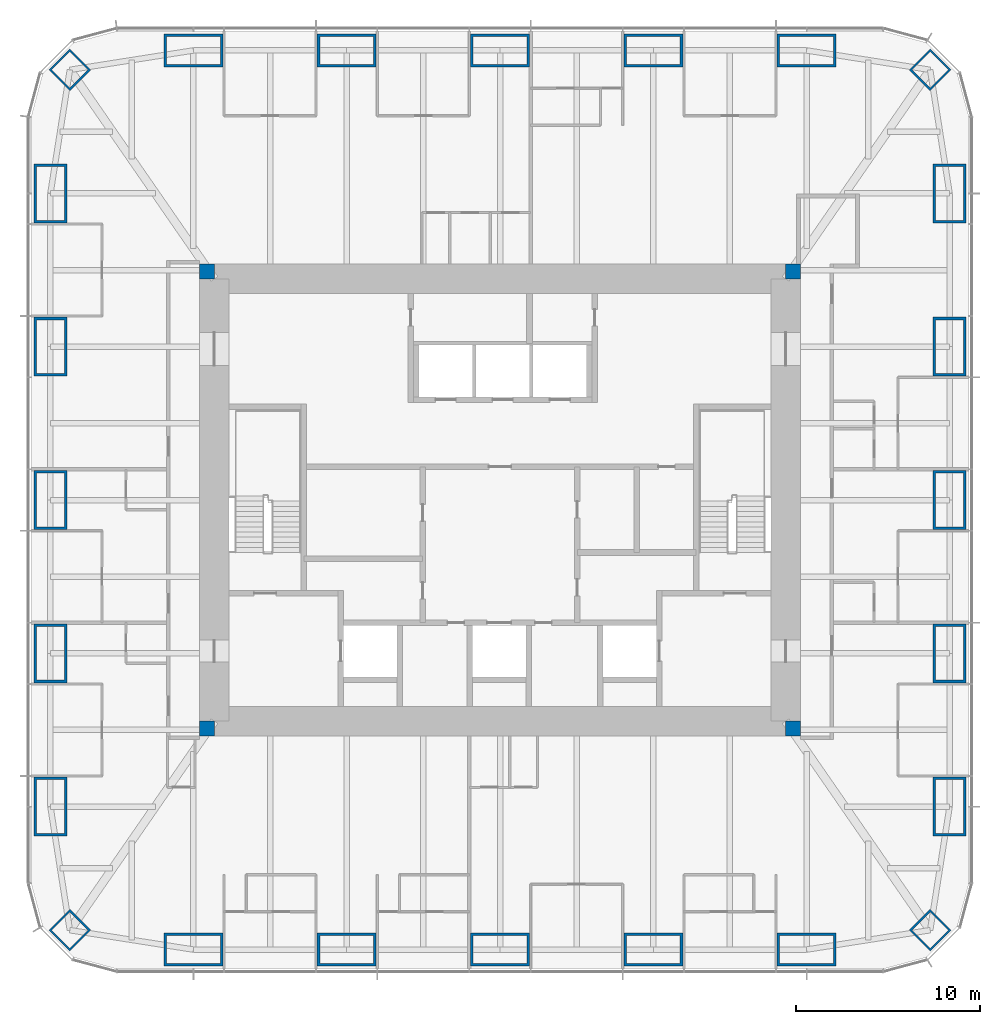
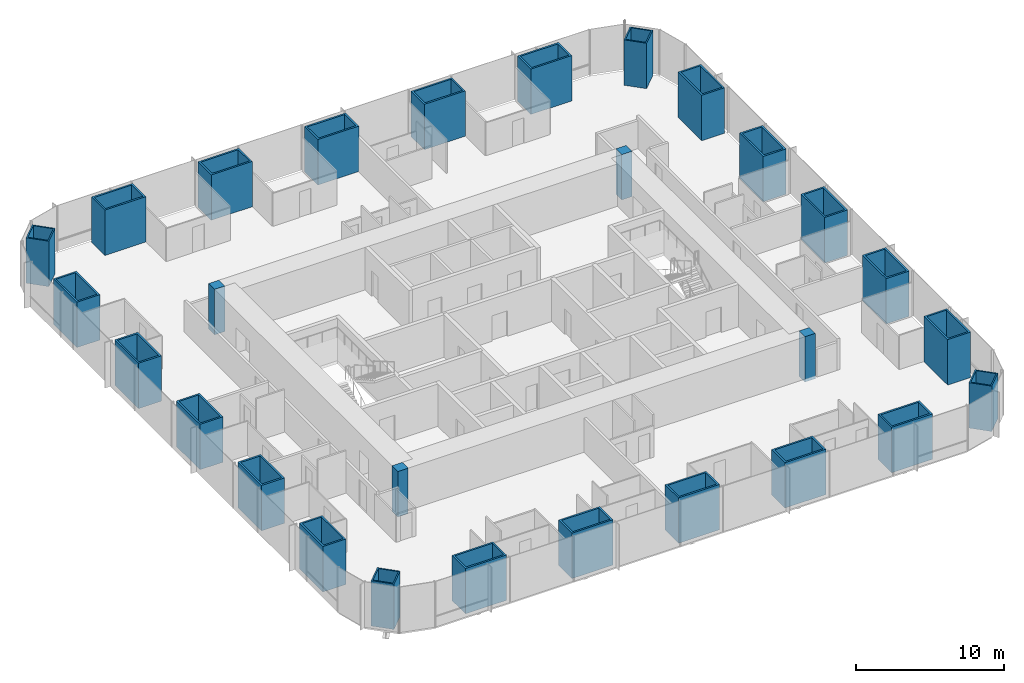
# One storey, part 1 of 13: 28 columns.
"""IFC4 building model written with IfcOpenShell, lengths in metres."""

from ifc_helpers import new_model, si_unit, direction, frame, origin, origin_2d, place, context, subcontext, project, spatial, rectangle, hollow_rectangle, extrude, material, material_profile, profile_set, type_object, element, save


model = new_model("IFC4")

# Units and contexts
model_context = context("Model", 3, precision=1e-05, world=origin(), true_north=direction((0.0, 1.0)))
body_context = subcontext(model_context, "Body", "Model", "MODEL_VIEW")
ifc_project = project(units=[si_unit("LENGTHUNIT", "METRE"), si_unit("AREAUNIT", "SQUARE_METRE"), si_unit("VOLUMEUNIT", "CUBIC_METRE"), si_unit("PLANEANGLEUNIT", "RADIAN"), si_unit("MASSUNIT", "GRAM", prefix="KILO")], contexts=[model_context])

# Site, building, storey
site_placement = place(None, origin())
site = spatial("IfcSite", under=ifc_project, at=site_placement, CompositionType="ELEMENT")
building_placement = place(site_placement, origin())
building = spatial("IfcBuilding", under=site, at=building_placement, Name="Khuree Lantern Residences", CompositionType="ELEMENT")
storey_placement = place(building_placement, frame((0.0, 0.0, 270.75)))
storey = spatial("IfcBuildingStorey", under=building, at=storey_placement, Name="L68", CompositionType="ELEMENT", Elevation=270.75)

# Columns
ifc_material_1 = material(Name="Steel S355 CFT welded box", Category="steel")
ifc_material_profile_1 = material_profile(ifc_material_1, hollow_rectangle(XDim=1.60009765625, YDim=1.60009765625, WallThickness=0.10009765625, at=origin_2d()), Name="WELDED BOX 1600X1600X100")
ifc_profile_set_1 = profile_set([ifc_material_profile_1], Name="Steel S355 CFT welded box")
column_type_1 = type_object("IfcColumnType", Name="CC1600 PERIMETER CORNER MEGA COLUMN WELDED BOX 1600X1600X100", PredefinedType="COLUMN", material=ifc_profile_set_1)
for number, where, z_axis, x_axis, name in (
    (1, (23.345703125, 23.345703125, 0.0), (0.0, 0.0, 1.0), (0.707106781187, -0.707106781187, 0.0), "Perimeter column NE"),
    (2, (23.345703125, -23.345703125, 0.0), (0.0, 0.0, 1.0), (0.707106781187, 0.707106781187, 0.0), "Perimeter column SE"),
    (3, (-23.345703125, -23.345703125, 0.0), (0.0, 0.0, 1.0), (0.707106781187, -0.707106781187, 0.0), "Perimeter column SW"),
    (4, (-23.345703125, 23.345703125, 0.0), (0.0, 0.0, 1.0), (0.707106781187, 0.707106781187, 0.0), "Perimeter column NW"),
):
    element("IfcColumn", number, at=place(storey_placement, frame(where, z_axis=z_axis, x_axis=x_axis)), inside=storey, type_object=column_type_1, Name=name, PredefinedType="COLUMN", context=body_context, shape_type="SweptSolid", body=[
        extrude(hollow_rectangle(XDim=1.60009765625, YDim=1.60009765625, WallThickness=0.10009765625, at=origin_2d()), origin(), (0.0, 0.0, 1.0), 3.75),
    ])
ifc_material_2 = material(Name="Concrete C50/60", Category="concrete")
ifc_material_profile_2 = material_profile(ifc_material_2, rectangle(XDim=0.800048828125, YDim=0.800048828125, at=origin_2d()), Name="RC 800X800")
ifc_profile_set_2 = profile_set([ifc_material_profile_2], Name="Concrete C50/60")
column_type_2 = type_object("IfcColumnType", Name="CP800-C50 CORE CORNER PIER C50 RC 800X800", PredefinedType="COLUMN", material=ifc_profile_set_2)
for number, where, z_axis, x_axis, name in (
    (5, (15.89990234375, 12.39990234375, -0.25), (0.0, 0.0, 1.0), (1.0, 0.0, 0.0), "Core corner pier NE"),
    (6, (-15.89990234375, 12.39990234375, -0.25), (0.0, 0.0, 1.0), (1.0, 0.0, 0.0), "Core corner pier NW"),
    (7, (-15.89990234375, -12.39990234375, -0.25), (0.0, 0.0, 1.0), (1.0, 0.0, 0.0), "Core corner pier SW"),
    (8, (15.89990234375, -12.39990234375, -0.25), (0.0, 0.0, 1.0), (1.0, 0.0, 0.0), "Core corner pier SE"),
):
    element("IfcColumn", number, at=place(storey_placement, frame(where, z_axis=z_axis, x_axis=x_axis)), inside=storey, type_object=column_type_2, Name=name, PredefinedType="COLUMN", context=body_context, shape_type="SweptSolid", body=[
        extrude(rectangle(XDim=0.800048828125, YDim=0.800048828125, at=origin_2d()), origin(), (0.0, 0.0, 1.0), 3.75),
    ])
ifc_material_profile_3 = material_profile(ifc_material_1, hollow_rectangle(XDim=3.199951171875, YDim=1.800048828125, WallThickness=0.139892578125, at=origin_2d()), Name="WELDED BOX 3200X1800X140")
ifc_profile_set_3 = profile_set([ifc_material_profile_3], Name="Steel S355 CFT welded box")
column_type_3 = type_object("IfcColumnType", Name="SC3 PERIMETER MEGA COLUMN WELDED BOX 3200X1800X140", PredefinedType="COLUMN", material=ifc_profile_set_3)
for number, where, z_axis, x_axis, name in (
    (9, (-16.639892578125, 24.39990234375, 0.0), (0.0, 0.0, 1.0), (1.0, 0.0, 0.0), "Perimeter column N1"),
    (10, (-8.320068359375, 24.39990234375, 0.0), (0.0, 0.0, 1.0), (1.0, 0.0, 0.0), "Perimeter column N2"),
    (11, (0.0, 24.39990234375, 0.0), (0.0, 0.0, 1.0), (1.0, 0.0, 0.0), "Perimeter column N3"),
    (12, (8.320068359375, 24.39990234375, 0.0), (0.0, 0.0, 1.0), (1.0, 0.0, 0.0), "Perimeter column N4"),
    (13, (16.639892578125, 24.39990234375, 0.0), (0.0, 0.0, 1.0), (1.0, 0.0, 0.0), "Perimeter column N5"),
    (14, (24.39990234375, 16.639892578125, 0.0), (0.0, 0.0, 1.0), (0.0, 1.0, 0.0), "Perimeter column E1"),
    (15, (24.39990234375, 8.320068359375, 0.0), (0.0, 0.0, 1.0), (0.0, 1.0, 0.0), "Perimeter column E2"),
    (16, (24.39990234375, 0.0, 0.0), (0.0, 0.0, 1.0), (0.0, 1.0, 0.0), "Perimeter column E3"),
    (17, (24.39990234375, -8.320068359375, 0.0), (0.0, 0.0, 1.0), (0.0, 1.0, 0.0), "Perimeter column E4"),
    (18, (24.39990234375, -16.639892578125, 0.0), (0.0, 0.0, 1.0), (0.0, 1.0, 0.0), "Perimeter column E5"),
    (19, (16.639892578125, -24.39990234375, 0.0), (0.0, 0.0, 1.0), (1.0, 0.0, 0.0), "Perimeter column S1"),
    (20, (8.320068359375, -24.39990234375, 0.0), (0.0, 0.0, 1.0), (1.0, 0.0, 0.0), "Perimeter column S2"),
    (21, (0.0, -24.39990234375, 0.0), (0.0, 0.0, 1.0), (1.0, 0.0, 0.0), "Perimeter column S3"),
    (22, (-8.320068359375, -24.39990234375, 0.0), (0.0, 0.0, 1.0), (1.0, 0.0, 0.0), "Perimeter column S4"),
    (23, (-16.639892578125, -24.39990234375, 0.0), (0.0, 0.0, 1.0), (1.0, 0.0, 0.0), "Perimeter column S5"),
    (24, (-24.39990234375, -16.639892578125, 0.0), (0.0, 0.0, 1.0), (0.0, 1.0, 0.0), "Perimeter column W1"),
    (25, (-24.39990234375, -8.320068359375, 0.0), (0.0, 0.0, 1.0), (0.0, 1.0, 0.0), "Perimeter column W2"),
    (26, (-24.39990234375, 0.0, 0.0), (0.0, 0.0, 1.0), (0.0, 1.0, 0.0), "Perimeter column W3"),
    (27, (-24.39990234375, 8.320068359375, 0.0), (0.0, 0.0, 1.0), (0.0, 1.0, 0.0), "Perimeter column W4"),
    (28, (-24.39990234375, 16.639892578125, 0.0), (0.0, 0.0, 1.0), (0.0, 1.0, 0.0), "Perimeter column W5"),
):
    element("IfcColumn", number, at=place(storey_placement, frame(where, z_axis=z_axis, x_axis=x_axis)), inside=storey, type_object=column_type_3, Name=name, PredefinedType="COLUMN", context=body_context, shape_type="SweptSolid", body=[
        extrude(hollow_rectangle(XDim=3.199951171875, YDim=1.800048828125, WallThickness=0.139892578125, at=origin_2d()), origin(), (0.0, 0.0, 1.0), 3.75),
    ])

save(model, "model.ifc")
